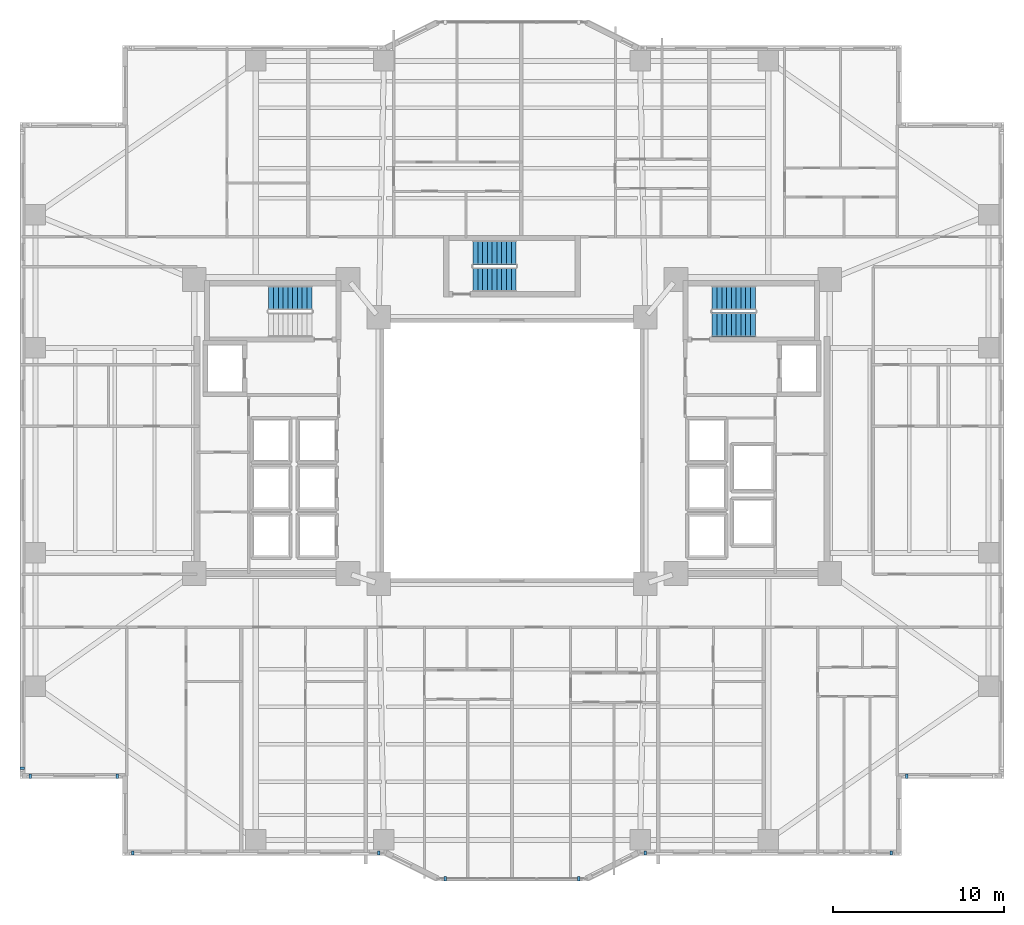
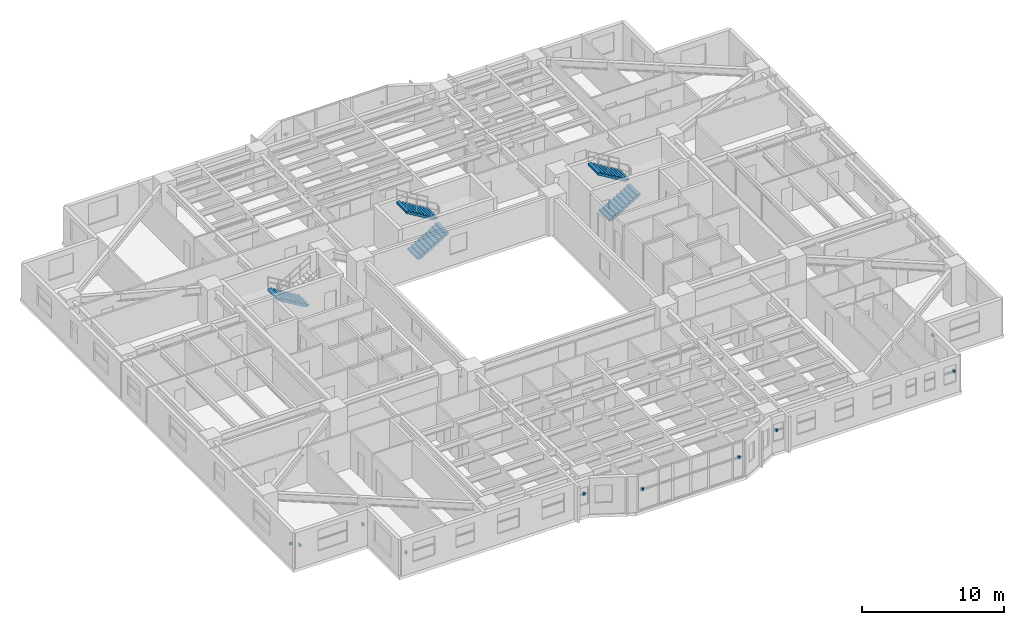
# One storey, part 17 of 22: 10 discrete accessories, 5 stair flights, 3 elements without a shape of their own.
"""IFC4 building model written with IfcOpenShell, lengths in metres."""

from ifc_helpers import new_model, si_unit, direction, frame, origin, origin_2d, place, context, subcontext, project, spatial, polyline, rectangle, outline, extrude, material, type_object, element, aggregate, save


model = new_model("IFC4")

# Units and contexts
model_context = context("Model", 3, precision=1e-05, world=origin(), true_north=direction((0.0, 1.0)))
body_context = subcontext(model_context, "Body", "Model", "MODEL_VIEW")
ifc_project = project(units=[si_unit("LENGTHUNIT", "METRE"), si_unit("AREAUNIT", "SQUARE_METRE"), si_unit("VOLUMEUNIT", "CUBIC_METRE"), si_unit("PLANEANGLEUNIT", "RADIAN"), si_unit("MASSUNIT", "GRAM", prefix="KILO")], contexts=[model_context])

# Site, building, storey
site_placement = place(None, origin())
site = spatial("IfcSite", under=ifc_project, at=site_placement, CompositionType="ELEMENT")
building_placement = place(site_placement, origin())
building = spatial("IfcBuilding", under=site, at=building_placement, Name="Tarnavaz Court Tower", CompositionType="ELEMENT")
storey_placement = place(building_placement, frame((0.0, 0.0, 27.35009765625)))
storey = spatial("IfcBuildingStorey", under=building, at=storey_placement, Name="L06", CompositionType="ELEMENT", Elevation=27.35009765625)

# Stair, stair flight
ifc_material_1 = material(Name="Concrete C40/50", Category="concrete")
stair_type = type_object("IfcStairType", Name="ST-TWR-20R", PredefinedType="HALF_TURN_STAIR", material=ifc_material_1)
stair_1_placement = place(storey_placement, origin())
stair_1 = element("IfcStair", 1, at=stair_1_placement, inside=storey, type_object=stair_type, Name="L06 West Core Pressurized Exit Stair ST-W1", PredefinedType="HALF_TURN_STAIR")
stair_flight_type = type_object("IfcStairFlightType", Name="SFL-RC-20R", PredefinedType="STRAIGHT", material=ifc_material_1)
stair_flight_1_placement = place(storey_placement, frame((-11.719970703125, 8.929931640625, 0.0), z_axis=(0.0, 0.0, 1.0), x_axis=(-1.0, 0.0, 0.0)))
stair_flight_1 = element("IfcStairFlight", 2, at=stair_flight_1_placement, type_object=stair_flight_type, Name="ST-W1 flight 1", NumberOfRisers=10, NumberOfTreads=9, PredefinedType="STRAIGHT", RiserHeight=0.1675, TreadLength=0.28, context=body_context, shape_type="SweptSolid", body=[
    extrude(outline(polyline([(0.0, 0.0), (0.0, 0.16748046875), (0.280029296875, 0.16748046875), (0.280029296875, 0.3349609375), (0.56005859375, 0.3349609375), (0.56005859375, 0.50244140625), (0.840087890625, 0.50244140625), (0.840087890625, 0.669921875), (1.1201171875, 0.669921875), (1.1201171875, 0.83740234375), (1.39990234375, 0.83740234375), (1.39990234375, 1.0048828125), (1.679931640625, 1.0048828125), (1.679931640625, 1.172607421875), (1.9599609375, 1.172607421875), (1.9599609375, 1.340087890625), (2.239990234375, 1.340087890625), (2.239990234375, 1.507568359375), (2.52001953125, 1.507568359375), (2.52001953125, 1.675048828125), (2.52001953125, 1.332763671875), (0.2919921875, 0.0), (0.0, 0.0)])), frame((0.0, 0.7099609375, 0.0), z_axis=(0.0, -1.0, 0.0), x_axis=(1.0, 0.0, 0.0)), (0.0, 0.0, 1.0), 1.419921875),
])
aggregate(stair_1, [stair_flight_1])

# Stair, stair flights
stair_2_placement = place(storey_placement, origin())
stair_2 = element("IfcStair", 3, at=stair_2_placement, inside=storey, type_object=stair_type, Name="L06 East Core Pressurized Exit Stair ST-E1", PredefinedType="HALF_TURN_STAIR")
stair_flight_2_placement = place(storey_placement, frame((11.719970703125, 7.360107421875, 0.0), z_axis=(0.0, 0.0, 1.0), x_axis=(1.0, 0.0, 0.0)))
stair_flight_2 = element("IfcStairFlight", 4, at=stair_flight_2_placement, type_object=stair_flight_type, Name="ST-E1 flight 1", NumberOfRisers=10, NumberOfTreads=9, PredefinedType="STRAIGHT", RiserHeight=0.1675, TreadLength=0.28, context=body_context, shape_type="SweptSolid", body=[
    extrude(outline(polyline([(0.0, 0.0), (0.0, 0.16748046875), (0.280029296875, 0.16748046875), (0.280029296875, 0.3349609375), (0.56005859375, 0.3349609375), (0.56005859375, 0.50244140625), (0.840087890625, 0.50244140625), (0.840087890625, 0.669921875), (1.1201171875, 0.669921875), (1.1201171875, 0.83740234375), (1.39990234375, 0.83740234375), (1.39990234375, 1.0048828125), (1.679931640625, 1.0048828125), (1.679931640625, 1.172607421875), (1.9599609375, 1.172607421875), (1.9599609375, 1.340087890625), (2.239990234375, 1.340087890625), (2.239990234375, 1.507568359375), (2.52001953125, 1.507568359375), (2.52001953125, 1.675048828125), (2.52001953125, 1.332763671875), (0.2919921875, 0.0), (0.0, 0.0)])), frame((0.0, 0.7099609375, 0.0), z_axis=(0.0, -1.0, 0.0), x_axis=(1.0, 0.0, 0.0)), (0.0, 0.0, 1.0), 1.419921875),
])
stair_flight_3_placement = place(storey_placement, frame((14.239990234375, 8.929931640625, 1.6748046875), z_axis=(0.0, 0.0, 1.0), x_axis=(-1.0, 0.0, 0.0)))
stair_flight_3 = element("IfcStairFlight", 5, at=stair_flight_3_placement, type_object=stair_flight_type, Name="ST-E1 flight 2", NumberOfRisers=10, NumberOfTreads=9, PredefinedType="STRAIGHT", RiserHeight=0.1675, TreadLength=0.28, context=body_context, shape_type="SweptSolid", body=[
    extrude(outline(polyline([(0.0, 0.0), (0.0, 0.16748046875), (0.280029296875, 0.16748046875), (0.280029296875, 0.3349609375), (0.56005859375, 0.3349609375), (0.56005859375, 0.50244140625), (0.840087890625, 0.50244140625), (0.840087890625, 0.669921875), (1.1201171875, 0.669921875), (1.1201171875, 0.83740234375), (1.39990234375, 0.83740234375), (1.39990234375, 1.0048828125), (1.679931640625, 1.0048828125), (1.679931640625, 1.172607421875), (1.9599609375, 1.172607421875), (1.9599609375, 1.340087890625), (2.239990234375, 1.340087890625), (2.239990234375, 1.507568359375), (2.52001953125, 1.507568359375), (2.52001953125, 1.675048828125), (2.52001953125, 1.332763671875), (0.2919921875, 0.0), (0.0, 0.0)])), frame((0.0, 0.7099609375, 0.0), z_axis=(0.0, -1.0, 0.0), x_axis=(1.0, 0.0, 0.0)), (0.0, 0.0, 1.0), 1.419921875),
])
aggregate(stair_2, [stair_flight_2, stair_flight_3])

stair_3_placement = place(storey_placement, origin())
stair_3 = element("IfcStair", 6, at=stair_3_placement, inside=storey, type_object=stair_type, Name="L06 North Ring Pressurized Exit Stair ST-N1", PredefinedType="HALF_TURN_STAIR")
stair_flight_4_placement = place(storey_placement, frame((-2.280029296875, 10.010009765625, 0.0), z_axis=(0.0, 0.0, 1.0), x_axis=(1.0, 0.0, 0.0)))
stair_flight_4 = element("IfcStairFlight", 7, at=stair_flight_4_placement, type_object=stair_flight_type, Name="ST-N1 flight 1", NumberOfRisers=10, NumberOfTreads=9, PredefinedType="STRAIGHT", RiserHeight=0.1675, TreadLength=0.28, context=body_context, shape_type="SweptSolid", body=[
    extrude(outline(polyline([(0.0, 0.0), (0.0, 0.16748046875), (0.280029296875, 0.16748046875), (0.280029296875, 0.3349609375), (0.56005859375, 0.3349609375), (0.56005859375, 0.50244140625), (0.840087890625, 0.50244140625), (0.840087890625, 0.669921875), (1.1201171875, 0.669921875), (1.1201171875, 0.83740234375), (1.39990234375, 0.83740234375), (1.39990234375, 1.0048828125), (1.679931640625, 1.0048828125), (1.679931640625, 1.172607421875), (1.9599609375, 1.172607421875), (1.9599609375, 1.340087890625), (2.239990234375, 1.340087890625), (2.239990234375, 1.507568359375), (2.52001953125, 1.507568359375), (2.52001953125, 1.675048828125), (2.52001953125, 1.332763671875), (0.2919921875, 0.0), (0.0, 0.0)])), frame((0.0, 0.7099609375, 0.0), z_axis=(0.0, -1.0, 0.0), x_axis=(1.0, 0.0, 0.0)), (0.0, 0.0, 1.0), 1.419921875),
])
stair_flight_5_placement = place(storey_placement, frame((0.239990234375, 11.580078125, 1.6748046875), z_axis=(0.0, 0.0, 1.0), x_axis=(-1.0, 0.0, 0.0)))
stair_flight_5 = element("IfcStairFlight", 8, at=stair_flight_5_placement, type_object=stair_flight_type, Name="ST-N1 flight 2", NumberOfRisers=10, NumberOfTreads=9, PredefinedType="STRAIGHT", RiserHeight=0.1675, TreadLength=0.28, context=body_context, shape_type="SweptSolid", body=[
    extrude(outline(polyline([(0.0, 0.0), (0.0, 0.16748046875), (0.280029296875, 0.16748046875), (0.280029296875, 0.3349609375), (0.56005859375, 0.3349609375), (0.56005859375, 0.50244140625), (0.840087890625, 0.50244140625), (0.840087890625, 0.669921875), (1.1201171875, 0.669921875), (1.1201171875, 0.83740234375), (1.39990234375, 0.83740234375), (1.39990234375, 1.0048828125), (1.679931640625, 1.0048828125), (1.679931640625, 1.172607421875), (1.9599609375, 1.172607421875), (1.9599609375, 1.340087890625), (2.239990234375, 1.340087890625), (2.239990234375, 1.507568359375), (2.52001953125, 1.507568359375), (2.52001953125, 1.675048828125), (2.52001953125, 1.332763671875), (0.2919921875, 0.0), (0.0, 0.0)])), frame((0.0, 0.7099609375, 0.0), z_axis=(0.0, -1.0, 0.0), x_axis=(1.0, 0.0, 0.0)), (0.0, 0.0, 1.0), 1.419921875),
])
aggregate(stair_3, [stair_flight_4, stair_flight_5])

# Discrete accessories
ifc_material_2 = material(Name="Anodised Aluminium 6063-T6", Category="aluminium")
discrete_accessory_type = type_object("IfcDiscreteAccessoryType", Name="DA-BRKT-ALU", PredefinedType="BRACKET", material=ifc_material_2)
for number, where, z_axis, x_axis, name in (
    (9, (-23.10009765625, -19.070068359375, 1.75), (0.0, 0.0, 1.0), (-1.0, 0.0, 0.0), "L06 Baguette Outrigger Bracket FBG01-1"),
    (10, (-28.199951171875, -19.070068359375, 1.75), (0.0, 0.0, 1.0), (-1.0, 0.0, 0.0), "L06 Baguette Outrigger Bracket FBG01-2"),
    (11, (-28.669921875, -18.60009765625, 1.75), (0.0, 0.0, 1.0), (0.0, 1.0, 0.0), "L06 Baguette Outrigger Bracket FBG02-1"),
    (12, (23.10009765625, -19.070068359375, 1.75), (0.0, 0.0, 1.0), (-1.0, 0.0, 0.0), "L06 Baguette Outrigger Bracket FBG13-2"),
    (13, (22.199951171875, -23.570068359375, 1.75), (0.0, 0.0, 1.0), (-1.0, 0.0, 0.0), "L06 Baguette Outrigger Bracket FBG15-1"),
    (14, (7.800048828125, -23.570068359375, 1.75), (0.0, 0.0, 1.0), (-1.0, 0.0, 0.0), "L06 Baguette Outrigger Bracket FBG15-2"),
    (15, (3.89990234375, -25.070068359375, 1.69970703125), (0.0, 0.0, 1.0), (-1.0, 0.0, 0.0), "L06 Baguette Outrigger Bracket PBG17-1"),
    (16, (-3.89990234375, -25.070068359375, 1.69970703125), (0.0, 0.0, 1.0), (-1.0, 0.0, 0.0), "L06 Baguette Outrigger Bracket PBG17-2"),
    (17, (-7.800048828125, -23.570068359375, 1.75), (0.0, 0.0, 1.0), (-1.0, 0.0, 0.0), "L06 Baguette Outrigger Bracket FBG19-1"),
    (18, (-22.199951171875, -23.570068359375, 1.75), (0.0, 0.0, 1.0), (-1.0, 0.0, 0.0), "L06 Baguette Outrigger Bracket FBG19-2"),
):
    element("IfcDiscreteAccessory", number, at=place(storey_placement, frame(where, z_axis=z_axis, x_axis=x_axis)), inside=storey, type_object=discrete_accessory_type, Name=name, PredefinedType="BRACKET", context=body_context, shape_type="SweptSolid", body=[
        extrude(rectangle(XDim=0.139892578125, YDim=0.239990234375, at=origin_2d()), origin(), (0.0, 0.0, 1.0), 0.199951171875),
    ])

save(model, "model.ifc")
